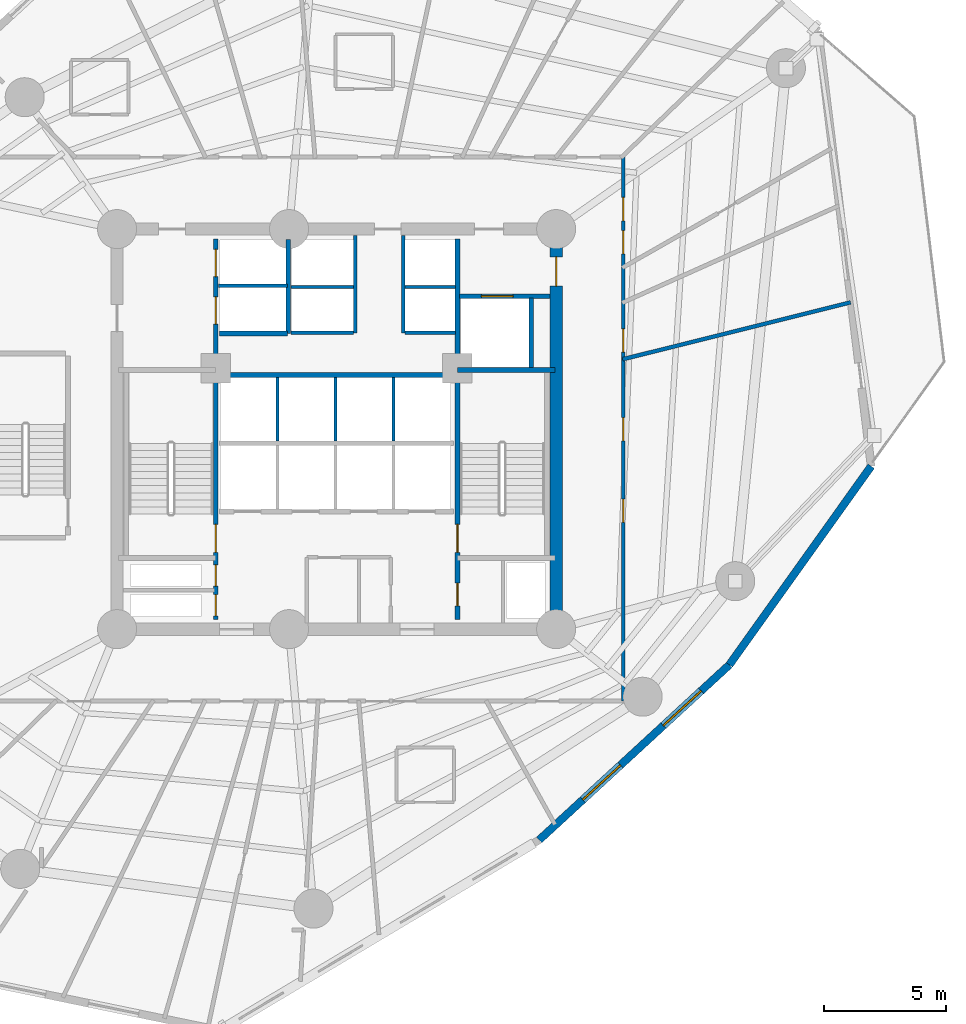
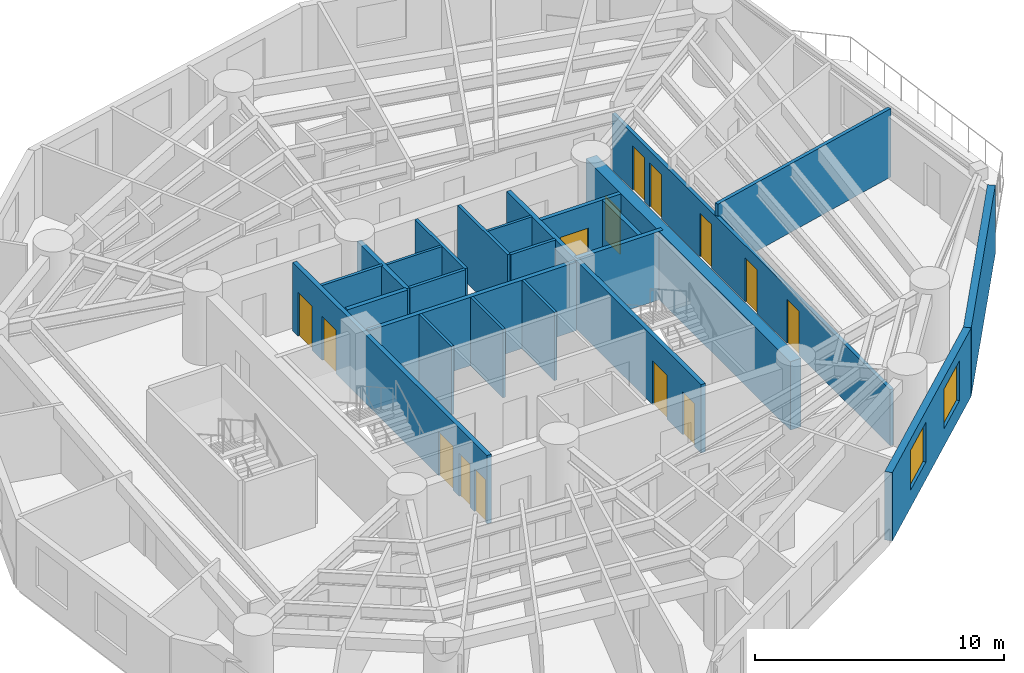
# One storey, part 5 of 10: 23 walls, 14 doors, 2 windows, 16 openings.
"""IFC4 building model written with IfcOpenShell, lengths in metres."""

from ifc_helpers import new_model, si_unit, direction, frame, frame_2d, origin, origin_with_axes, place, context, subcontext, project, spatial, rectangle, extrude, source, transform, mapped, material, layer, layer_set, type_object, element, fill, save


model = new_model("IFC4")

# Units and contexts
model_context = context("Model", 3, precision=1e-05, world=origin(), true_north=direction((0.0, 1.0)))
body_context = subcontext(model_context, "Body", "Model", "MODEL_VIEW")
ifc_project = project(units=[si_unit("LENGTHUNIT", "METRE"), si_unit("AREAUNIT", "SQUARE_METRE"), si_unit("VOLUMEUNIT", "CUBIC_METRE"), si_unit("PLANEANGLEUNIT", "RADIAN"), si_unit("MASSUNIT", "GRAM", prefix="KILO")], contexts=[model_context])

# Site, building, storey
site_placement = place(None, origin())
site = spatial("IfcSite", under=ifc_project, at=site_placement, CompositionType="ELEMENT")
building_placement = place(site_placement, origin())
building = spatial("IfcBuilding", under=site, at=building_placement, Name="Karkom Vertical University and Central Library", CompositionType="ELEMENT")
storey_placement = place(building_placement, frame((0.0, 0.0, 66.10009765625)))
storey = spatial("IfcBuildingStorey", under=building, at=storey_placement, Name="L17", CompositionType="ELEMENT", Elevation=66.10009765625)

# Wall, openings, windows
ifc_material_1 = material(Name="Brick-faced precast concrete C45/55", Category="masonry")
ifc_layer_1 = layer(ifc_material_1, 0.320068359375)
ifc_layer_set_1 = layer_set([ifc_layer_1], Name="Brick-faced precast concrete C45/55")
wall_type_1 = type_object("IfcWallType", Name="ENV-WL-BRK-320", PredefinedType="SOLIDWALL", material=ifc_layer_set_1)
wall_1_placement = place(storey_placement, frame((36.804443359375, 9.657470703125, 0.0), z_axis=(0.0, 0.0, 1.0), x_axis=(0.735619702355, 0.677394754562, 0.0)))
wall_1 = element("IfcWall", 1, at=wall_1_placement, inside=storey, type_object=wall_type_1, Name="Level 17 Brick-Faced Precast Facade Wall 06", PredefinedType="SOLIDWALL", context=body_context, shape_type="SweptSolid", body=[
    extrude(rectangle(XDim=10.60009765625, YDim=0.320068359375, at=frame_2d((5.300048828125, 0.0))), origin(), (0.0, 0.0, 1.0), 3.349853515625),
])
opening_1_placement = place(wall_1_placement, frame((2.430908203125, 0.0, 0.85009765625)))
opening_1 = element("IfcOpeningElement", 2, at=opening_1_placement, cuts=wall_1, Name="Opening WN-03", PredefinedType="OPENING", context=body_context, shape_type="SweptSolid", body=[
    extrude(rectangle(XDim=2.10009765625, YDim=1.949951171875, at=frame_2d((1.050048828125, 0.97509765625))), frame((0.0, 0.169921875, 0.0), z_axis=(0.0, -1.0, 0.0), x_axis=(1.0, 0.0, 0.0)), (0.0, 0.0, 1.0), 0.340087890625),
])
opening_2_placement = place(wall_1_placement, frame((6.923583984375, 0.0, 0.85009765625)))
opening_2 = element("IfcOpeningElement", 3, at=opening_2_placement, cuts=wall_1, Name="Opening WN-03", PredefinedType="OPENING", context=body_context, shape_type="SweptSolid", body=[
    extrude(rectangle(XDim=2.10009765625, YDim=1.949951171875, at=frame_2d((1.050048828125, 0.97509765625))), frame((0.0, 0.169921875, 0.0), z_axis=(0.0, -1.0, 0.0), x_axis=(1.0, 0.0, 0.0)), (0.0, 0.0, 1.0), 0.340087890625),
])
ifc_material_2 = material(Name="Aluminium thermal-break frame with solar-control IGU", Category="aluminium")
window_type = type_object("IfcWindowType", Name="ENV-WIN-WN-03", PartitioningType="SINGLE_PANEL", PredefinedType="WINDOW", material=ifc_material_2)
shared_shape_1 = source(origin_with_axes(), body_context, "Body", "SweptSolid", [
    extrude(rectangle(XDim=2.10009765625, YDim=1.949951171875, at=frame_2d((1.050048828125, 0.97509765625))), frame((0.0, 0.030029296875, 0.0), z_axis=(0.0, -1.0, 0.0), x_axis=(1.0, 0.0, 0.0)), (0.0, 0.0, 1.0), 0.06005859375),
])
window_1_placement = place(opening_1_placement, origin())
window_1 = element("IfcWindow", 4, at=window_1_placement, inside=storey, type_object=window_type, Name="Level 17 Punched Window 6.1", OverallHeight=1.949951171875, OverallWidth=2.10009765625, PartitioningType="SINGLE_PANEL", PredefinedType="WINDOW", context=body_context, shape_type="MappedRepresentation", body=[
    mapped(shared_shape_1, transform((0.0, 0.0, 0.0), scale=1.0)),
])
fill(opening_1, window_1)
window_2_placement = place(opening_2_placement, origin())
window_2 = element("IfcWindow", 5, at=window_2_placement, inside=storey, type_object=window_type, Name="Level 17 Punched Window 6.2", OverallHeight=1.949951171875, OverallWidth=2.10009765625, PartitioningType="SINGLE_PANEL", PredefinedType="WINDOW", context=body_context, shape_type="MappedRepresentation", body=[
    mapped(shared_shape_1, transform((0.0, 0.0, 0.0), scale=1.0)),
])
fill(opening_2, window_2)

# Wall
wall_2_placement = place(storey_placement, frame((44.60205078125, 16.837890625, 0.0), z_axis=(0.0, 0.0, 1.0), x_axis=(0.581067336178, 0.813855485223, 0.0)))
element("IfcWall", 6, at=wall_2_placement, inside=storey, type_object=wall_type_1, Name="Level 17 Brick-Faced Precast Facade Wall 07", PredefinedType="SOLIDWALL", context=body_context, shape_type="SweptSolid", body=[
    extrude(rectangle(XDim=10.003173828125, YDim=0.320068359375, at=frame_2d((5.00146484375, 0.0))), origin(), (0.0, 0.0, 1.0), 3.349853515625),
])

# Wall, openings, doors
ifc_material_3 = material(Name="Insulated metal-stud drywall 160mm", Category="gypsum")
ifc_layer_2 = layer(ifc_material_3, 0.159912109375)
ifc_layer_set_2 = layer_set([ifc_layer_2], Name="Insulated metal-stud drywall 160mm")
wall_type_2 = type_object("IfcWallType", Name="INT-WL-COR-160", PredefinedType="PARTITIONING", material=ifc_layer_set_2)
wall_3_placement = place(storey_placement, frame((40.25, 37.64990234375, 0.0), z_axis=(0.0, 0.0, 1.0), x_axis=(0.0, -1.0, 0.0)))
wall_3 = element("IfcWall", 7, at=wall_3_placement, inside=storey, type_object=wall_type_2, Name="Level 17 Interior Partition Wall L17-CORW-CW-004", PredefinedType="PARTITIONING", context=body_context, shape_type="SweptSolid", body=[
    extrude(rectangle(XDim=22.2998046875, YDim=0.159912109375, at=frame_2d((11.14990234375, 0.0))), origin(), (0.0, 0.0, 1.0), 2.75),
])
opening_3_placement = place(wall_3_placement, frame((14.02001953125, 0.0, 0.0)))
opening_3 = element("IfcOpeningElement", 8, at=opening_3_placement, cuts=wall_3, Name="Opening D-RM1", PredefinedType="OPENING", context=body_context, shape_type="SweptSolid", body=[
    extrude(rectangle(XDim=0.949951171875, YDim=2.14990234375, at=frame_2d((0.47509765625, 1.074951171875))), frame((0.0, 0.08984375, 0.0), z_axis=(0.0, -1.0, 0.0), x_axis=(1.0, 0.0, 0.0)), (0.0, 0.0, 1.0), 0.179931640625),
])
opening_4_placement = place(wall_3_placement, frame((10.675048828125, 0.0, 0.0)))
opening_4 = element("IfcOpeningElement", 9, at=opening_4_placement, cuts=wall_3, Name="Opening FD-RM2", PredefinedType="OPENING", context=body_context, shape_type="SweptSolid", body=[
    extrude(rectangle(XDim=0.9599609375, YDim=2.14990234375, at=frame_2d((0.47998046875, 1.074951171875))), frame((0.0, 0.08984375, 0.0), z_axis=(0.0, -1.0, 0.0), x_axis=(1.0, 0.0, 0.0)), (0.0, 0.0, 1.0), 0.179931640625),
])
opening_5_placement = place(wall_3_placement, frame((7.0400390625, 0.0, 0.0)))
opening_5 = element("IfcOpeningElement", 10, at=opening_5_placement, cuts=wall_3, Name="Opening D-RM1", PredefinedType="OPENING", context=body_context, shape_type="SweptSolid", body=[
    extrude(rectangle(XDim=0.949951171875, YDim=2.14990234375, at=frame_2d((0.47509765625, 1.074951171875))), frame((0.0, 0.08984375, 0.0), z_axis=(0.0, -1.0, 0.0), x_axis=(1.0, 0.0, 0.0)), (0.0, 0.0, 1.0), 0.179931640625),
])
opening_6_placement = place(wall_3_placement, frame((3.010009765625, 0.0, 0.0)))
opening_6 = element("IfcOpeningElement", 11, at=opening_6_placement, cuts=wall_3, Name="Opening FD-RM2", PredefinedType="OPENING", context=body_context, shape_type="SweptSolid", body=[
    extrude(rectangle(XDim=0.9599609375, YDim=2.14990234375, at=frame_2d((0.47998046875, 1.074951171875))), frame((0.0, 0.08984375, 0.0), z_axis=(0.0, -1.0, 0.0), x_axis=(1.0, 0.0, 0.0)), (0.0, 0.0, 1.0), 0.179931640625),
])
opening_7_placement = place(wall_3_placement, frame((1.650634765625, 0.0, 0.0)))
opening_7 = element("IfcOpeningElement", 12, at=opening_7_placement, cuts=wall_3, Name="Opening FD-RM2", PredefinedType="OPENING", context=body_context, shape_type="SweptSolid", body=[
    extrude(rectangle(XDim=0.9599609375, YDim=2.14990234375, at=frame_2d((0.47998046875, 1.074951171875))), frame((0.0, 0.08984375, 0.0), z_axis=(0.0, -1.0, 0.0), x_axis=(1.0, 0.0, 0.0)), (0.0, 0.0, 1.0), 0.179931640625),
])
ifc_material_4 = material(Name="Fire-rated oak veneer door", Category="wood")
door_type_1 = type_object("IfcDoorType", Name="INT-DR-FRM2", OperationType="NOTDEFINED", PredefinedType="DOOR", material=ifc_material_4)
shared_shape_2 = source(origin_with_axes(), body_context, "Body", "SweptSolid", [
    extrude(rectangle(XDim=0.9599609375, YDim=2.14990234375, at=frame_2d((0.47998046875, 1.074951171875))), frame((0.0, 0.02490234375, 0.0), z_axis=(0.0, -1.0, 0.0), x_axis=(1.0, 0.0, 0.0)), (0.0, 0.0, 1.0), 0.050048828125),
])
door_1_placement = place(opening_4_placement, origin())
door_1 = element("IfcDoor", 13, at=door_1_placement, inside=storey, type_object=door_type_1, Name="Level 17 Room Entry Door 110", OperationType="SINGLE_SWING_LEFT", OverallHeight=2.14990234375, OverallWidth=0.9599609375, PredefinedType="DOOR", context=body_context, shape_type="MappedRepresentation", body=[
    mapped(shared_shape_2, transform((0.0, 0.0, 0.0), scale=1.0)),
])
fill(opening_4, door_1)
door_2_placement = place(opening_6_placement, origin())
door_2 = element("IfcDoor", 14, at=door_2_placement, inside=storey, type_object=door_type_1, Name="Level 17 Room Entry Door 130", OperationType="SINGLE_SWING_LEFT", OverallHeight=2.14990234375, OverallWidth=0.9599609375, PredefinedType="DOOR", context=body_context, shape_type="MappedRepresentation", body=[
    mapped(shared_shape_2, transform((0.0, 0.0, 0.0), scale=1.0)),
])
fill(opening_6, door_2)
door_3_placement = place(opening_7_placement, origin())
door_3 = element("IfcDoor", 15, at=door_3_placement, inside=storey, type_object=door_type_1, Name="Level 17 Room Entry Door 140", OperationType="SINGLE_SWING_RIGHT", OverallHeight=2.14990234375, OverallWidth=0.9599609375, PredefinedType="DOOR", context=body_context, shape_type="MappedRepresentation", body=[
    mapped(shared_shape_2, transform((0.0, 0.0, 0.0), scale=1.0)),
])
fill(opening_7, door_3)
ifc_material_5 = material(Name="Solid-core oak veneer door", Category="wood")
door_type_2 = type_object("IfcDoorType", Name="INT-DR-RM1", OperationType="NOTDEFINED", PredefinedType="DOOR", material=ifc_material_5)
shared_shape_3 = source(origin_with_axes(), body_context, "Body", "SweptSolid", [
    extrude(rectangle(XDim=0.949951171875, YDim=2.14990234375, at=frame_2d((0.47509765625, 1.074951171875))), frame((0.0, 0.02490234375, 0.0), z_axis=(0.0, -1.0, 0.0), x_axis=(1.0, 0.0, 0.0)), (0.0, 0.0, 1.0), 0.050048828125),
])
door_4_placement = place(opening_3_placement, origin())
door_4 = element("IfcDoor", 16, at=door_4_placement, inside=storey, type_object=door_type_2, Name="Level 17 Room Entry Door 100", OperationType="SINGLE_SWING_RIGHT", OverallHeight=2.14990234375, OverallWidth=0.949951171875, PredefinedType="DOOR", context=body_context, shape_type="MappedRepresentation", body=[
    mapped(shared_shape_3, transform((0.0, 0.0, 0.0), scale=1.0)),
])
fill(opening_3, door_4)
door_5_placement = place(opening_5_placement, origin())
door_5 = element("IfcDoor", 17, at=door_5_placement, inside=storey, type_object=door_type_2, Name="Level 17 Room Entry Door 120", OperationType="SINGLE_SWING_RIGHT", OverallHeight=2.14990234375, OverallWidth=0.949951171875, PredefinedType="DOOR", context=body_context, shape_type="MappedRepresentation", body=[
    mapped(shared_shape_3, transform((0.0, 0.0, 0.0), scale=1.0)),
])
fill(opening_5, door_5)

# Walls
wall_4_placement = place(storey_placement, frame((40.220947265625, 29.362548828125, 0.0), z_axis=(0.0, 0.0, 1.0), x_axis=(0.97025416332, 0.242088534549, 0.0)))
element("IfcWall", 18, at=wall_4_placement, inside=storey, type_object=wall_type_2, Name="Level 17 Interior Partition Wall L17-PW-015", PredefinedType="PARTITIONING", context=body_context, shape_type="SweptSolid", body=[
    extrude(rectangle(XDim=9.636962890625, YDim=0.159912109375, at=frame_2d((4.818359375, 0.0))), origin(), (0.0, 0.0, 1.0), 3.349853515625),
])
ifc_material_6 = material(Name="Moisture-resistant drywall 120mm", Category="gypsum")
ifc_layer_3 = layer(ifc_material_6, 0.1201171875)
ifc_layer_set_3 = layer_set([ifc_layer_3], Name="Moisture-resistant drywall 120mm")
wall_type_3 = type_object("IfcWallType", Name="INT-WL-INT-120H", PredefinedType="PARTITIONING", material=ifc_layer_set_3)
for number, where, z_axis, x_axis, name in (
    (19, (26.080078125, 26.02001953125, 0.0), (0.0, 0.0, 1.0), (0.0, 1.0, 0.0), "Level 17 Interior Partition Wall L17-CW-PM-DIV1"),
    (20, (28.4599609375, 26.02001953125, 0.0), (0.0, 0.0, 1.0), (0.0, 1.0, 0.0), "Level 17 Interior Partition Wall L17-CW-PM-DIV2"),
    (21, (30.840087890625, 26.02001953125, 0.0), (0.0, 0.0, 1.0), (0.0, 1.0, 0.0), "Level 17 Interior Partition Wall L17-CW-PM-DIV3"),
):
    element("IfcWall", number, at=place(storey_placement, frame(where, z_axis=z_axis, x_axis=x_axis)), inside=storey, type_object=wall_type_3, Name=name, PredefinedType="PARTITIONING", context=body_context, shape_type="SweptSolid", body=[
        extrude(rectangle(XDim=2.60009765625, YDim=0.1201171875, at=frame_2d((1.300048828125, 0.0))), origin(), (0.0, 0.0, 1.0), 3.349853515625),
    ])
wall_5_placement = place(storey_placement, frame((26.6201171875, 32.320068359375, 0.0), z_axis=(0.0, 0.0, 1.0), x_axis=(1.0, 0.0, 0.0)))
element("IfcWall", 22, at=wall_5_placement, inside=storey, type_object=wall_type_3, Name="Level 17 Interior Partition Wall L17-CW-PH-MW", PredefinedType="PARTITIONING", context=body_context, shape_type="SweptSolid", body=[
    extrude(rectangle(XDim=2.579833984375, YDim=0.1201171875, at=frame_2d((1.2900390625, 0.0))), origin(), (0.0, 0.0, 1.0), 3.349853515625),
])
wall_6_placement = place(storey_placement, frame((31.300048828125, 32.320068359375, 0.0), z_axis=(0.0, 0.0, 1.0), x_axis=(1.0, 0.0, 0.0)))
element("IfcWall", 23, at=wall_6_placement, inside=storey, type_object=wall_type_3, Name="Level 17 Interior Partition Wall L17-CW-PH-ME", PredefinedType="PARTITIONING", context=body_context, shape_type="SweptSolid", body=[
    extrude(rectangle(XDim=2.074951171875, YDim=0.1201171875, at=frame_2d((1.03759765625, 0.0))), origin(), (0.0, 0.0, 1.0), 3.349853515625),
])
ifc_material_7 = material(Name="Metal-stud gypsum partition 140mm", Category="gypsum")
ifc_layer_4 = layer(ifc_material_7, 0.139892578125)
ifc_layer_set_4 = layer_set([ifc_layer_4], Name="Metal-stud gypsum partition 140mm")
wall_type_4 = type_object("IfcWallType", Name="INT-WL-SUB-140H", PredefinedType="PARTITIONING", material=ifc_layer_set_4)
for number, where, z_axis, x_axis, name in (
    (24, (29.260009765625, 30.449951171875, 0.0), (0.0, 0.0, 1.0), (0.0, 1.0, 0.0), "Level 17 Interior Partition Wall L17-CW-PH-W"),
    (25, (31.239990234375, 30.449951171875, 0.0), (0.0, 0.0, 1.0), (0.0, 1.0, 0.0), "Level 17 Interior Partition Wall L17-CW-PH-E"),
):
    element("IfcWall", number, at=place(storey_placement, frame(where, z_axis=z_axis, x_axis=x_axis)), inside=storey, type_object=wall_type_4, Name=name, PredefinedType="PARTITIONING", context=body_context, shape_type="SweptSolid", body=[
        extrude(rectangle(XDim=3.9931640625, YDim=0.139892578125, at=frame_2d((1.99658203125, 0.0))), origin(), (0.0, 0.0, 1.0), 3.349853515625),
    ])
wall_7_placement = place(storey_placement, frame((26.6201171875, 30.449951171875, 0.0), z_axis=(0.0, 0.0, 1.0), x_axis=(1.0, 0.0, 0.0)))
element("IfcWall", 26, at=wall_7_placement, inside=storey, type_object=wall_type_4, Name="Level 17 Interior Partition Wall L17-CW-PH-S1", PredefinedType="PARTITIONING", context=body_context, shape_type="SweptSolid", body=[
    extrude(rectangle(XDim=2.579833984375, YDim=0.139892578125, at=frame_2d((1.2900390625, 0.0))), origin(), (0.0, 0.0, 1.0), 3.349853515625),
])
wall_8_placement = place(storey_placement, frame((31.300048828125, 30.449951171875, 0.0), z_axis=(0.0, 0.0, 1.0), x_axis=(1.0, 0.0, 0.0)))
element("IfcWall", 27, at=wall_8_placement, inside=storey, type_object=wall_type_4, Name="Level 17 Interior Partition Wall L17-CW-PH-S2", PredefinedType="PARTITIONING", context=body_context, shape_type="SweptSolid", body=[
    extrude(rectangle(XDim=2.074951171875, YDim=0.139892578125, at=frame_2d((1.03759765625, 0.0))), origin(), (0.0, 0.0, 1.0), 3.349853515625),
])
ifc_layer_5 = layer(ifc_material_7, 0.139892578125)
ifc_layer_set_5 = layer_set([ifc_layer_5], Name="Metal-stud gypsum partition 140mm")
wall_type_5 = type_object("IfcWallType", Name="INT-WL-SUB-140X", PredefinedType="PARTITIONING", material=ifc_layer_set_5)
wall_9_placement = place(storey_placement, frame((23.652099609375, 32.3701171875, 0.0), z_axis=(0.0, 0.0, 1.0), x_axis=(1.0, 0.0, 0.0)))
element("IfcWall", 28, at=wall_9_placement, inside=storey, type_object=wall_type_5, Name="Level 17 Interior Partition Wall L17-CW-FFL-M", PredefinedType="PARTITIONING", context=body_context, shape_type="SweptSolid", body=[
    extrude(rectangle(XDim=2.827880859375, YDim=0.139892578125, at=frame_2d((1.4140625, 0.0))), origin(), (0.0, 0.0, 1.0), 3.349853515625),
])

# Wall, opening, door
ifc_material_8 = material(Name="Twin-stud acoustic drywall 180mm", Category="gypsum")
ifc_layer_6 = layer(ifc_material_8, 0.179931640625)
ifc_layer_set_6 = layer_set([ifc_layer_6], Name="Twin-stud acoustic drywall 180mm")
wall_type_6 = type_object("IfcWallType", Name="INT-WL-TEN-180F", PredefinedType="PARTITIONING", material=ifc_layer_set_6)
wall_10_placement = place(storey_placement, frame((33.534912109375, 31.949951171875, 0.0), z_axis=(0.0, 0.0, 1.0), x_axis=(1.0, 0.0, 0.0)))
wall_10 = element("IfcWall", 29, at=wall_10_placement, inside=storey, type_object=wall_type_6, Name="Level 17 Interior Partition Wall L17-CW-SVL-N", PredefinedType="PARTITIONING", context=body_context, shape_type="SweptSolid", body=[
    extrude(rectangle(XDim=3.708740234375, YDim=0.179931640625, at=frame_2d((1.8544921875, 0.0))), origin(), (0.0, 0.0, 1.0), 3.349853515625),
])
opening_8_placement = place(wall_10_placement, frame((0.89990234375, 0.0, 0.0)))
opening_8 = element("IfcOpeningElement", 30, at=opening_8_placement, cuts=wall_10, Name="Opening LD-SV1", PredefinedType="OPENING", context=body_context, shape_type="SweptSolid", body=[
    extrude(rectangle(XDim=1.300048828125, YDim=2.199951171875, at=frame_2d((0.64990234375, 1.10009765625))), frame((0.0, 0.10009765625, 0.0), z_axis=(0.0, -1.0, 0.0), x_axis=(1.0, 0.0, 0.0)), (0.0, 0.0, 1.0), 0.199951171875),
])
ifc_material_9 = material(Name="Brushed stainless-steel landing door", Category="steel")
door_type_3 = type_object("IfcDoorType", Name="INT-DR-LD-SV1", OperationType="SLIDING_TO_LEFT", PredefinedType="DOOR", material=ifc_material_9)
shared_shape_4 = source(origin_with_axes(), body_context, "Body", "SweptSolid", [
    extrude(rectangle(XDim=1.300048828125, YDim=2.199951171875, at=frame_2d((0.64990234375, 1.10009765625))), frame((0.0, 0.02490234375, 0.0), z_axis=(0.0, -1.0, 0.0), x_axis=(1.0, 0.0, 0.0)), (0.0, 0.0, 1.0), 0.050048828125),
])
door_6_placement = place(opening_8_placement, origin())
door_6 = element("IfcDoor", 31, at=door_6_placement, inside=storey, type_object=door_type_3, Name="Level 17 Service Lift Landing Door LD-SV1", OperationType="SLIDING_TO_LEFT", OverallHeight=2.199951171875, OverallWidth=1.300048828125, PredefinedType="DOOR", context=body_context, shape_type="MappedRepresentation", body=[
    mapped(shared_shape_4, transform((0.0, 0.0, 0.0), scale=1.0)),
])
fill(opening_8, door_6)

ifc_material_10 = material(Name="Concrete C50/60", Category="concrete")
ifc_layer_7 = layer(ifc_material_10, 0.5)
ifc_layer_set_7 = layer_set([ifc_layer_7], Name="Concrete C50/60")
wall_type_7 = type_object("IfcWallType", Name="STR-WL-CW-500", PredefinedType="SHEAR", material=ifc_layer_set_7)
wall_11_placement = place(storey_placement, frame((37.5, 18.300048828125, 0.0), z_axis=(0.0, 0.0, 1.0), x_axis=(0.0, 1.0, 0.0)))
wall_11 = element("IfcWall", 32, at=wall_11_placement, inside=storey, type_object=wall_type_7, Name="Level 17 Central Core Shear Wall EW", PredefinedType="SHEAR", context=body_context, shape_type="SweptSolid", body=[
    extrude(rectangle(XDim=16.39990234375, YDim=0.5, at=frame_2d((8.199951171875, 0.0))), origin(), (0.0, 0.0, 1.0), 3.349853515625),
])
opening_9_placement = place(wall_11_placement, frame((14.06005859375, 0.0, 0.0)))
opening_9 = element("IfcOpeningElement", 33, at=opening_9_placement, cuts=wall_11, Name="Opening FD-SUB1", PredefinedType="OPENING", context=body_context, shape_type="SweptSolid", body=[
    extrude(rectangle(XDim=1.199951171875, YDim=2.14990234375, at=frame_2d((0.60009765625, 1.074951171875))), frame((0.0, 0.260009765625, 0.0), z_axis=(0.0, -1.0, 0.0), x_axis=(1.0, 0.0, 0.0)), (0.0, 0.0, 1.0), 0.52001953125),
])
ifc_material_11 = material(Name="Painted steel fire door", Category="steel")
door_type_4 = type_object("IfcDoorType", Name="INT-DR-SUB1", OperationType="NOTDEFINED", PredefinedType="DOOR", material=ifc_material_11)
shared_shape_5 = source(origin_with_axes(), body_context, "Body", "SweptSolid", [
    extrude(rectangle(XDim=1.199951171875, YDim=2.14990234375, at=frame_2d((0.60009765625, 1.074951171875))), frame((0.0, 0.02490234375, 0.0), z_axis=(0.0, -1.0, 0.0), x_axis=(1.0, 0.0, 0.0)), (0.0, 0.0, 1.0), 0.050048828125),
])
door_7_placement = place(opening_9_placement, origin())
door_7 = element("IfcDoor", 34, at=door_7_placement, inside=storey, type_object=door_type_4, Name="Level 17 East Corridor Service Lobby Door", OperationType="SINGLE_SWING_RIGHT", OverallHeight=2.14990234375, OverallWidth=1.199951171875, PredefinedType="DOOR", context=body_context, shape_type="MappedRepresentation", body=[
    mapped(shared_shape_5, transform((0.0, 0.0, 0.0), scale=1.0)),
])
fill(opening_9, door_7)

# Wall, openings, doors
ifc_material_12 = material(Name="Concrete C45/55", Category="concrete")
ifc_layer_8 = layer(ifc_material_12, 0.199951171875)
ifc_layer_set_8 = layer_set([ifc_layer_8], Name="Concrete C45/55")
wall_type_8 = type_object("IfcWallType", Name="STR-WL-ST-200", PredefinedType="SHEAR", material=ifc_layer_set_8)
wall_12_placement = place(storey_placement, frame((23.544921875, 18.699951171875, 0.0), z_axis=(0.0, 0.0, 1.0), x_axis=(0.0, 1.0, 0.0)))
wall_12 = element("IfcWall", 35, at=wall_12_placement, inside=storey, type_object=wall_type_8, Name="Level 17 Core Shaft Wall L17-CW-ST1-E", PredefinedType="SHEAR", context=body_context, shape_type="SweptSolid", body=[
    extrude(rectangle(XDim=15.60009765625, YDim=0.199951171875, at=frame_2d((7.800048828125, 0.0))), origin(), (0.0, 0.0, 1.0), 3.349853515625),
])
opening_10_placement = place(wall_12_placement, frame((2.75, 0.0, 0.0)))
opening_10 = element("IfcOpeningElement", 36, at=opening_10_placement, cuts=wall_12, Name="Opening FD-ST1", PredefinedType="OPENING", context=body_context, shape_type="SweptSolid", body=[
    extrude(rectangle(XDim=1.14990234375, YDim=2.14990234375, at=frame_2d((0.574951171875, 1.074951171875))), frame((0.0, 0.10986328125, 0.0), z_axis=(0.0, -1.0, 0.0), x_axis=(1.0, 0.0, 0.0)), (0.0, 0.0, 1.0), 0.219970703125),
])
opening_11_placement = place(wall_12_placement, frame((0.139892578125, 0.0, 0.0)))
opening_11 = element("IfcOpeningElement", 37, at=opening_11_placement, cuts=wall_12, Name="Opening FD-RIS", PredefinedType="OPENING", context=body_context, shape_type="SweptSolid", body=[
    extrude(rectangle(XDim=0.8798828125, YDim=2.10009765625, at=frame_2d((0.43994140625, 1.050048828125))), frame((0.0, 0.10986328125, 0.0), z_axis=(0.0, -1.0, 0.0), x_axis=(1.0, 0.0, 0.0)), (0.0, 0.0, 1.0), 0.219970703125),
])
opening_12_placement = place(wall_12_placement, frame((1.360107421875, 0.0, 0.0)))
opening_12 = element("IfcOpeningElement", 38, at=opening_12_placement, cuts=wall_12, Name="Opening FD-RIS", PredefinedType="OPENING", context=body_context, shape_type="SweptSolid", body=[
    extrude(rectangle(XDim=0.8798828125, YDim=2.10009765625, at=frame_2d((0.43994140625, 1.050048828125))), frame((0.0, 0.10986328125, 0.0), z_axis=(0.0, -1.0, 0.0), x_axis=(1.0, 0.0, 0.0)), (0.0, 0.0, 1.0), 0.219970703125),
])
opening_13_placement = place(wall_12_placement, frame((12.10009765625, 0.0, 0.0)))
opening_13 = element("IfcOpeningElement", 39, at=opening_13_placement, cuts=wall_12, Name="Opening LD-FFL", PredefinedType="OPENING", context=body_context, shape_type="SweptSolid", body=[
    extrude(rectangle(XDim=1.1201171875, YDim=2.14990234375, at=frame_2d((0.56005859375, 1.074951171875))), frame((0.0, 0.10986328125, 0.0), z_axis=(0.0, -1.0, 0.0), x_axis=(1.0, 0.0, 0.0)), (0.0, 0.0, 1.0), 0.219970703125),
])
opening_14_placement = place(wall_12_placement, frame((14.050048828125, 0.0, 0.0)))
opening_14 = element("IfcOpeningElement", 40, at=opening_14_placement, cuts=wall_12, Name="Opening LD-FFL", PredefinedType="OPENING", context=body_context, shape_type="SweptSolid", body=[
    extrude(rectangle(XDim=1.1201171875, YDim=2.14990234375, at=frame_2d((0.56005859375, 1.074951171875))), frame((0.0, 0.10986328125, 0.0), z_axis=(0.0, -1.0, 0.0), x_axis=(1.0, 0.0, 0.0)), (0.0, 0.0, 1.0), 0.219970703125),
])
ifc_material_13 = material(Name="Painted steel acoustic fire door", Category="steel")
door_type_5 = type_object("IfcDoorType", Name="INT-DR-ST1", OperationType="NOTDEFINED", PredefinedType="DOOR", material=ifc_material_13)
shared_shape_6 = source(origin_with_axes(), body_context, "Body", "SweptSolid", [
    extrude(rectangle(XDim=1.14990234375, YDim=2.14990234375, at=frame_2d((0.574951171875, 1.074951171875))), frame((0.0, 0.02490234375, 0.0), z_axis=(0.0, -1.0, 0.0), x_axis=(1.0, 0.0, 0.0)), (0.0, 0.0, 1.0), 0.050048828125),
])
door_8_placement = place(opening_10_placement, origin())
door_8 = element("IfcDoor", 41, at=door_8_placement, inside=storey, type_object=door_type_5, Name="Level 17 Stair ST-1 Fire Door", OperationType="SINGLE_SWING_RIGHT", OverallHeight=2.14990234375, OverallWidth=1.14990234375, PredefinedType="DOOR", context=body_context, shape_type="MappedRepresentation", body=[
    mapped(shared_shape_6, transform((0.0, 0.0, 0.0), scale=1.0)),
])
fill(opening_10, door_8)
ifc_material_14 = material(Name="Painted steel riser access door", Category="steel")
door_type_6 = type_object("IfcDoorType", Name="INT-DR-RIS", OperationType="NOTDEFINED", PredefinedType="DOOR", material=ifc_material_14)
shared_shape_7 = source(origin_with_axes(), body_context, "Body", "SweptSolid", [
    extrude(rectangle(XDim=0.8798828125, YDim=2.10009765625, at=frame_2d((0.43994140625, 1.050048828125))), frame((0.0, 0.02490234375, 0.0), z_axis=(0.0, -1.0, 0.0), x_axis=(1.0, 0.0, 0.0)), (0.0, 0.0, 1.0), 0.050048828125),
])
door_9_placement = place(opening_11_placement, origin())
door_9 = element("IfcDoor", 42, at=door_9_placement, inside=storey, type_object=door_type_6, Name="Level 17 Electrical Riser Access Door", OperationType="SINGLE_SWING_RIGHT", OverallHeight=2.10009765625, OverallWidth=0.8798828125, PredefinedType="DOOR", context=body_context, shape_type="MappedRepresentation", body=[
    mapped(shared_shape_7, transform((0.0, 0.0, 0.0), scale=1.0)),
])
fill(opening_11, door_9)
door_10_placement = place(opening_12_placement, origin())
door_10 = element("IfcDoor", 43, at=door_10_placement, inside=storey, type_object=door_type_6, Name="Level 17 Telecom Riser Access Door", OperationType="SINGLE_SWING_LEFT", OverallHeight=2.10009765625, OverallWidth=0.8798828125, PredefinedType="DOOR", context=body_context, shape_type="MappedRepresentation", body=[
    mapped(shared_shape_7, transform((0.0, 0.0, 0.0), scale=1.0)),
])
fill(opening_12, door_10)
ifc_material_15 = material(Name="Fire-rated stainless-steel landing door", Category="steel")
door_type_7 = type_object("IfcDoorType", Name="INT-DR-LD-FFL", OperationType="SLIDING_TO_LEFT", PredefinedType="DOOR", material=ifc_material_15)
shared_shape_8 = source(origin_with_axes(), body_context, "Body", "SweptSolid", [
    extrude(rectangle(XDim=1.1201171875, YDim=2.14990234375, at=frame_2d((0.56005859375, 1.074951171875))), frame((0.0, 0.02490234375, 0.0), z_axis=(0.0, -1.0, 0.0), x_axis=(1.0, 0.0, 0.0)), (0.0, 0.0, 1.0), 0.050048828125),
])
door_11_placement = place(opening_13_placement, origin())
door_11 = element("IfcDoor", 44, at=door_11_placement, inside=storey, type_object=door_type_7, Name="Level 17 Firefighting Lift FFL-1 Landing Door", OperationType="SLIDING_TO_LEFT", OverallHeight=2.14990234375, OverallWidth=1.1201171875, PredefinedType="DOOR", context=body_context, shape_type="MappedRepresentation", body=[
    mapped(shared_shape_8, transform((0.0, 0.0, 0.0), scale=1.0)),
])
fill(opening_13, door_11)
door_12_placement = place(opening_14_placement, origin())
door_12 = element("IfcDoor", 45, at=door_12_placement, inside=storey, type_object=door_type_7, Name="Level 17 Firefighting Lift FFL-2 Landing Door", OperationType="SLIDING_TO_RIGHT", OverallHeight=2.14990234375, OverallWidth=1.1201171875, PredefinedType="DOOR", context=body_context, shape_type="MappedRepresentation", body=[
    mapped(shared_shape_8, transform((0.0, 0.0, 0.0), scale=1.0)),
])
fill(opening_14, door_12)

wall_13_placement = place(storey_placement, frame((33.455078125, 18.699951171875, 0.0), z_axis=(0.0, 0.0, 1.0), x_axis=(0.0, 1.0, 0.0)))
wall_13 = element("IfcWall", 46, at=wall_13_placement, inside=storey, type_object=wall_type_8, Name="Level 17 Core Shaft Wall L17-CW-ST2-W", PredefinedType="SHEAR", context=body_context, shape_type="SweptSolid", body=[
    extrude(rectangle(XDim=15.60009765625, YDim=0.199951171875, at=frame_2d((7.800048828125, 0.0))), origin(), (0.0, 0.0, 1.0), 3.349853515625),
])
opening_15_placement = place(wall_13_placement, frame((2.75, 0.0, 0.0)))
opening_15 = element("IfcOpeningElement", 47, at=opening_15_placement, cuts=wall_13, Name="Opening FD-ST1", PredefinedType="OPENING", context=body_context, shape_type="SweptSolid", body=[
    extrude(rectangle(XDim=1.14990234375, YDim=2.14990234375, at=frame_2d((0.574951171875, 1.074951171875))), frame((0.0, 0.10986328125, 0.0), z_axis=(0.0, -1.0, 0.0), x_axis=(1.0, 0.0, 0.0)), (0.0, 0.0, 1.0), 0.219970703125),
])
opening_16_placement = place(wall_13_placement, frame((0.550048828125, 0.0, 0.0)))
opening_16 = element("IfcOpeningElement", 48, at=opening_16_placement, cuts=wall_13, Name="Opening D-WC1", PredefinedType="OPENING", context=body_context, shape_type="SweptSolid", body=[
    extrude(rectangle(XDim=0.93994140625, YDim=2.10009765625, at=frame_2d((0.469970703125, 1.050048828125))), frame((0.0, 0.10986328125, 0.0), z_axis=(0.0, -1.0, 0.0), x_axis=(1.0, 0.0, 0.0)), (0.0, 0.0, 1.0), 0.219970703125),
])
door_13_placement = place(opening_15_placement, origin())
door_13 = element("IfcDoor", 49, at=door_13_placement, inside=storey, type_object=door_type_5, Name="Level 17 Stair ST-2 Fire Door", OperationType="SINGLE_SWING_LEFT", OverallHeight=2.14990234375, OverallWidth=1.14990234375, PredefinedType="DOOR", context=body_context, shape_type="MappedRepresentation", body=[
    mapped(shared_shape_6, transform((0.0, 0.0, 0.0), scale=1.0)),
])
fill(opening_15, door_13)
ifc_material_16 = material(Name="Fire-rated laminate moisture-resistant door", Category="wood")
door_type_8 = type_object("IfcDoorType", Name="INT-DR-WC1", OperationType="NOTDEFINED", PredefinedType="DOOR", material=ifc_material_16)
shared_shape_9 = source(origin_with_axes(), body_context, "Body", "SweptSolid", [
    extrude(rectangle(XDim=0.93994140625, YDim=2.10009765625, at=frame_2d((0.469970703125, 1.050048828125))), frame((0.0, 0.02490234375, 0.0), z_axis=(0.0, -1.0, 0.0), x_axis=(1.0, 0.0, 0.0)), (0.0, 0.0, 1.0), 0.050048828125),
])
door_14_placement = place(opening_16_placement, origin())
door_14 = element("IfcDoor", 50, at=door_14_placement, inside=storey, type_object=door_type_8, Name="Level 17 Accessible WC Door", OperationType="SINGLE_SWING_RIGHT", OverallHeight=2.10009765625, OverallWidth=0.93994140625, PredefinedType="DOOR", context=body_context, shape_type="MappedRepresentation", body=[
    mapped(shared_shape_9, transform((0.0, 0.0, 0.0), scale=1.0)),
])
fill(opening_16, door_14)

# Walls
wall_14_placement = place(storey_placement, frame((23.699951171875, 28.719970703125, 0.0), z_axis=(0.0, 0.0, 1.0), x_axis=(1.0, 0.0, 0.0)))
element("IfcWall", 51, at=wall_14_placement, inside=storey, type_object=wall_type_8, Name="Level 17 Core Shaft Wall L17-CW-B2-N", PredefinedType="SHEAR", context=body_context, shape_type="SweptSolid", body=[
    extrude(rectangle(XDim=9.60009765625, YDim=0.199951171875, at=frame_2d((4.800048828125, 0.0))), origin(), (0.0, 0.0, 1.0), 3.349853515625),
])
wall_15_placement = place(storey_placement, frame((33.455078125, 28.925048828125, 0.0), z_axis=(0.0, 0.0, 1.0), x_axis=(1.0, 0.0, 0.0)))
element("IfcWall", 52, at=wall_15_placement, inside=storey, type_object=wall_type_8, Name="Level 17 Core Shaft Wall L17-CW-ST2-N", PredefinedType="SHEAR", context=body_context, shape_type="SweptSolid", body=[
    extrude(rectangle(XDim=3.994873046875, YDim=0.199951171875, at=frame_2d((1.99755859375, 0.0))), origin(), (0.0, 0.0, 1.0), 3.349853515625),
])
wall_16_placement = place(storey_placement, frame((26.52001953125, 30.419921875, 0.0), z_axis=(0.0, 0.0, 1.0), x_axis=(0.0, 1.0, 0.0)))
element("IfcWall", 53, at=wall_16_placement, inside=storey, type_object=wall_type_8, Name="Level 17 Core Shaft Wall L17-CW-FFL-E", PredefinedType="SHEAR", context=body_context, shape_type="SweptSolid", body=[
    extrude(rectangle(XDim=3.860107421875, YDim=0.199951171875, at=frame_2d((1.93017578125, 0.0))), origin(), (0.0, 0.0, 1.0), 3.349853515625),
])
wall_17_placement = place(storey_placement, frame((36.47998046875, 29.02001953125, 0.0), z_axis=(0.0, 0.0, 1.0), x_axis=(0.0, 1.0, 0.0)))
element("IfcWall", 54, at=wall_17_placement, inside=storey, type_object=wall_type_8, Name="Level 17 Core Shaft Wall L17-CW-SVL-E", PredefinedType="SHEAR", context=body_context, shape_type="SweptSolid", body=[
    extrude(rectangle(XDim=2.85986328125, YDim=0.199951171875, at=frame_2d((1.429931640625, 0.0))), origin(), (0.0, 0.0, 1.0), 3.349853515625),
])
wall_18_placement = place(storey_placement, frame((23.699951171875, 30.419921875, 0.0), z_axis=(0.0, 0.0, 1.0), x_axis=(1.0, 0.0, 0.0)))
element("IfcWall", 55, at=wall_18_placement, inside=storey, type_object=wall_type_8, Name="Level 17 Core Shaft Wall L17-CW-FFL-S", PredefinedType="SHEAR", context=body_context, shape_type="SweptSolid", body=[
    extrude(rectangle(XDim=2.780029296875, YDim=0.199951171875, at=frame_2d((1.39013671875, 0.0))), origin(), (0.0, 0.0, 1.0), 3.349853515625),
])

save(model, "model.ifc")
